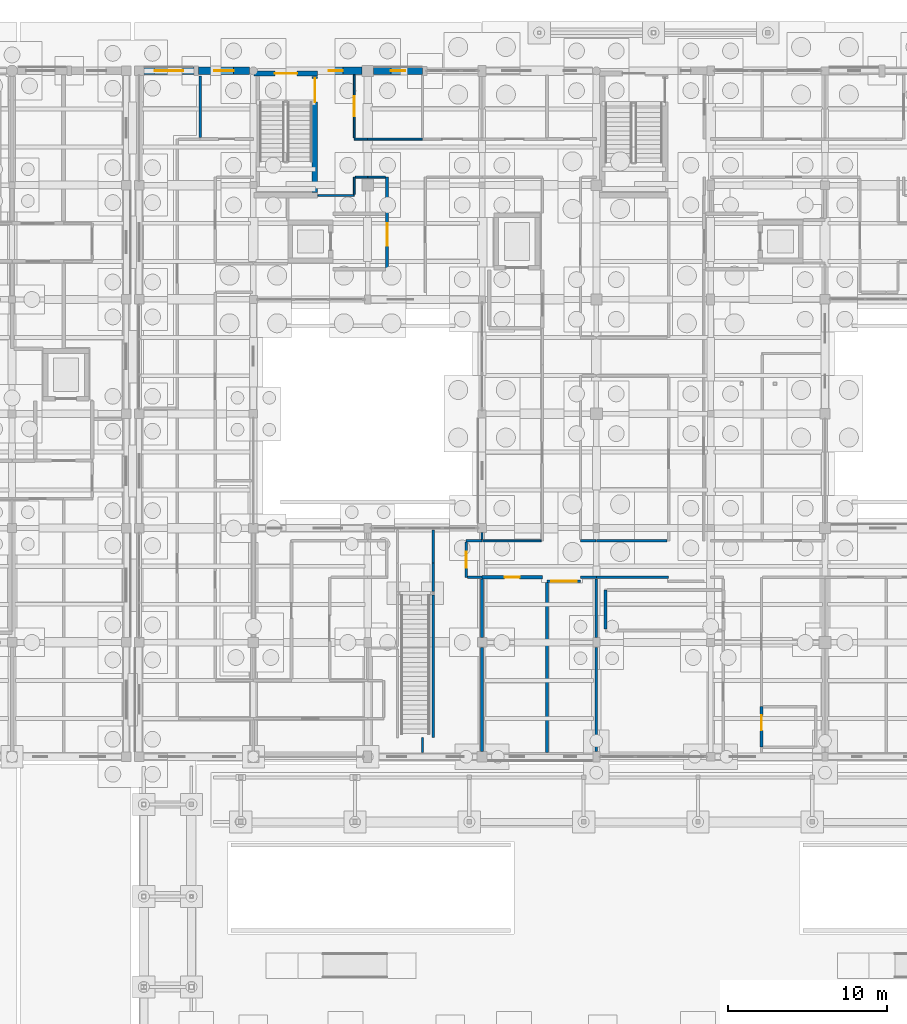
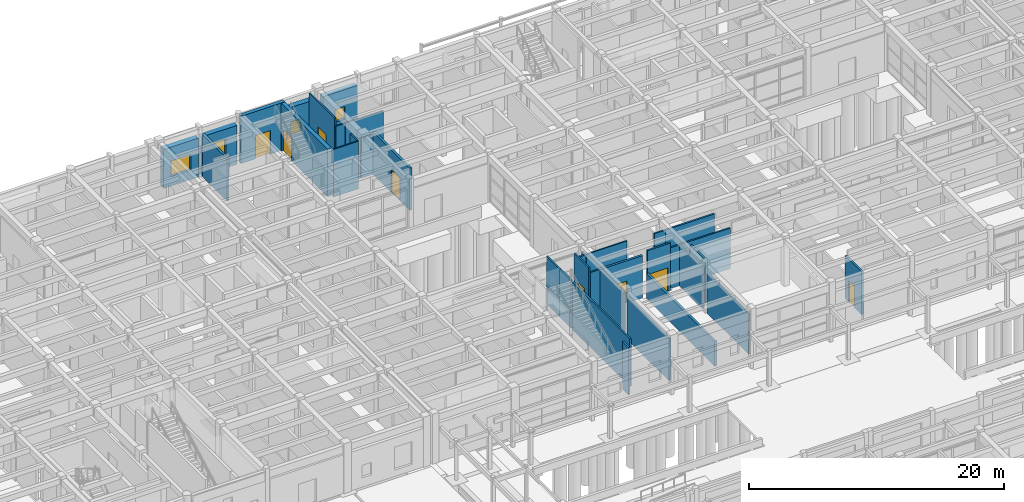
# One storey, part 110 of 143: 37 walls, 8 doors, 4 windows, 12 openings.
"""IFC4 building model written with IfcOpenShell, lengths in metres."""

from ifc_helpers import new_model, si_unit, direction, frame, frame_2d, origin, place, context, subcontext, project, spatial, rectangle, extrude, material, layer, layer_set, type_object, element, fill, save


model = new_model("IFC4")

# Units and contexts
model_context = context("Model", 3, precision=1e-05, world=origin(), true_north=direction((0.0, 1.0)))
body_context = subcontext(model_context, "Body", "Model", "MODEL_VIEW")
ifc_project = project(units=[si_unit("LENGTHUNIT", "METRE"), si_unit("AREAUNIT", "SQUARE_METRE"), si_unit("VOLUMEUNIT", "CUBIC_METRE"), si_unit("PLANEANGLEUNIT", "RADIAN"), si_unit("MASSUNIT", "GRAM", prefix="KILO")], contexts=[model_context])

# Site, building, storey
site_placement = place(None, origin())
site = spatial("IfcSite", under=ifc_project, at=site_placement, CompositionType="ELEMENT")
building_placement = place(site_placement, origin())
building = spatial("IfcBuilding", under=site, at=building_placement, Name="Steenspoor Specialist Clinic", CompositionType="ELEMENT")
storey_placement = place(building_placement, origin())
storey = spatial("IfcBuildingStorey", under=building, at=storey_placement, Name="L00", CompositionType="ELEMENT", Elevation=0.0)

# Wall, opening, window
ifc_material_1 = material(Name="Volcanic basalt ashlar masonry", Category="masonry")
ifc_layer_1 = layer(ifc_material_1, 0.47998046875)
ifc_layer_set_1 = layer_set([ifc_layer_1], Name="Volcanic basalt ashlar masonry")
wall_type_1 = type_object("IfcWallType", Name="W-BASALT-480", PredefinedType="SOLIDWALL", material=ifc_layer_set_1)
wall_1_placement = place(storey_placement, frame((52.699951171875, 108.35009765625, 0.0), z_axis=(0.0, 0.0, 1.0), x_axis=(1.0, 0.0, 0.0)))
wall_1 = element("IfcWall", 1, at=wall_1_placement, inside=storey, type_object=wall_type_1, Name="Exterior Brick Wall EW-V4-L00-0087", PredefinedType="SOLIDWALL", context=body_context, shape_type="SweptSolid", body=[
    extrude(rectangle(XDim=3.150146484375, YDim=0.47998046875, at=frame_2d((1.5751953125, 0.0))), origin(), (0.0, 0.0, 1.0), 3.72998046875),
])
opening_1_placement = place(wall_1_placement, frame((0.675048828125, 0.0, 0.89990234375)))
opening_1 = element("IfcOpeningElement", 2, at=opening_1_placement, cuts=wall_1, Name="Opening WN-13", PredefinedType="OPENING", context=body_context, shape_type="SweptSolid", body=[
    extrude(rectangle(XDim=1.800048828125, YDim=1.5, at=frame_2d((0.89990234375, 0.75))), frame((0.0, 0.25, 0.0), z_axis=(0.0, -1.0, 0.0), x_axis=(1.0, 0.0, 0.0)), (0.0, 0.0, 1.0), 0.5),
])
ifc_material_2 = material(Name="Thermally broken aluminium and low-emissivity glass", Category="aluminium")
window_type_1 = type_object("IfcWindowType", Name="WN-EXT-180X150", PartitioningType="SINGLE_PANEL", PredefinedType="WINDOW", material=ifc_material_2)
window_1_placement = place(opening_1_placement, origin())
window_1 = element("IfcWindow", 3, at=window_1_placement, inside=storey, type_object=window_type_1, Name="Window 0107", OverallHeight=1.5, OverallWidth=1.800048828125, PartitioningType="SINGLE_PANEL", PredefinedType="WINDOW", context=body_context, shape_type="SweptSolid", body=[
    extrude(rectangle(XDim=1.800048828125, YDim=1.5, at=frame_2d((0.89990234375, 0.75))), frame((0.0, 0.030029296875, 0.0), z_axis=(0.0, -1.0, 0.0), x_axis=(1.0, 0.0, 0.0)), (0.0, 0.0, 1.0), 0.06005859375),
])
fill(opening_1, window_1)

wall_2_placement = place(storey_placement, frame((56.14990234375, 108.35009765625, 0.0), z_axis=(0.0, 0.0, 1.0), x_axis=(1.0, 0.0, 0.0)))
wall_2 = element("IfcWall", 4, at=wall_2_placement, inside=storey, type_object=wall_type_1, Name="Exterior Brick Wall EW-V4-L00-0088", PredefinedType="SOLIDWALL", context=body_context, shape_type="SweptSolid", body=[
    extrude(rectangle(XDim=3.2001953125, YDim=0.47998046875, at=frame_2d((1.60009765625, 0.0))), origin(), (0.0, 0.0, 1.0), 3.72998046875),
])
opening_2_placement = place(wall_2_placement, frame((1.0, 0.0, 0.60009765625)))
opening_2 = element("IfcOpeningElement", 5, at=opening_2_placement, cuts=wall_2, Name="Opening WN-15", PredefinedType="OPENING", context=body_context, shape_type="SweptSolid", body=[
    extrude(rectangle(XDim=1.199951171875, YDim=2.199951171875, at=frame_2d((0.60009765625, 1.10009765625))), frame((0.0, 0.25, 0.0), z_axis=(0.0, -1.0, 0.0), x_axis=(1.0, 0.0, 0.0)), (0.0, 0.0, 1.0), 0.5),
])
window_type_2 = type_object("IfcWindowType", Name="WN-EXT-120X220", PartitioningType="SINGLE_PANEL", PredefinedType="WINDOW", material=ifc_material_2)
window_2_placement = place(opening_2_placement, origin())
window_2 = element("IfcWindow", 6, at=window_2_placement, inside=storey, type_object=window_type_2, Name="Window 0108", OverallHeight=2.199951171875, OverallWidth=1.199951171875, PartitioningType="SINGLE_PANEL", PredefinedType="WINDOW", context=body_context, shape_type="SweptSolid", body=[
    extrude(rectangle(XDim=1.199951171875, YDim=2.199951171875, at=frame_2d((0.60009765625, 1.10009765625))), frame((0.0, 0.030029296875, 0.0), z_axis=(0.0, -1.0, 0.0), x_axis=(1.0, 0.0, 0.0)), (0.0, 0.0, 1.0), 0.06005859375),
])
fill(opening_2, window_2)

wall_3_placement = place(storey_placement, frame((63.64990234375, 108.35009765625, 0.0), z_axis=(0.0, 0.0, 1.0), x_axis=(1.0, 0.0, 0.0)))
wall_3 = element("IfcWall", 7, at=wall_3_placement, inside=storey, type_object=wall_type_1, Name="Exterior Brick Wall EW-V4-L00-0089", PredefinedType="SOLIDWALL", context=body_context, shape_type="SweptSolid", body=[
    extrude(rectangle(XDim=2.800048828125, YDim=0.47998046875, at=frame_2d((1.39990234375, 0.0))), origin(), (0.0, 0.0, 1.0), 3.72998046875),
])
opening_3_placement = place(wall_3_placement, frame((0.68994140625, 0.0, 0.949951171875)))
opening_3 = element("IfcOpeningElement", 8, at=opening_3_placement, cuts=wall_3, Name="Opening WN-21", PredefinedType="OPENING", context=body_context, shape_type="SweptSolid", body=[
    extrude(rectangle(XDim=0.89990234375, YDim=1.199951171875, at=frame_2d((0.449951171875, 0.60009765625))), frame((0.0, 0.25, 0.0), z_axis=(0.0, -1.0, 0.0), x_axis=(1.0, 0.0, 0.0)), (0.0, 0.0, 1.0), 0.5),
])
window_type_3 = type_object("IfcWindowType", Name="WN-EXT-090X120", PartitioningType="SINGLE_PANEL", PredefinedType="WINDOW", material=ifc_material_2)
window_3_placement = place(opening_3_placement, origin())
window_3 = element("IfcWindow", 9, at=window_3_placement, inside=storey, type_object=window_type_3, Name="Window 0109", OverallHeight=1.199951171875, OverallWidth=0.89990234375, PartitioningType="SINGLE_PANEL", PredefinedType="WINDOW", context=body_context, shape_type="SweptSolid", body=[
    extrude(rectangle(XDim=0.89990234375, YDim=1.199951171875, at=frame_2d((0.449951171875, 0.60009765625))), frame((0.0, 0.030029296875, 0.0), z_axis=(0.0, -1.0, 0.0), x_axis=(1.0, 0.0, 0.0)), (0.0, 0.0, 1.0), 0.06005859375),
])
fill(opening_3, window_3)

wall_4_placement = place(storey_placement, frame((67.14990234375, 108.35009765625, 0.0), z_axis=(0.0, 0.0, 1.0), x_axis=(1.0, 0.0, 0.0)))
wall_4 = element("IfcWall", 10, at=wall_4_placement, inside=storey, type_object=wall_type_1, Name="Exterior Brick Wall EW-V4-L00-0090", PredefinedType="SOLIDWALL", context=body_context, shape_type="SweptSolid", body=[
    extrude(rectangle(XDim=3.110107421875, YDim=0.47998046875, at=frame_2d((1.55517578125, 0.0))), origin(), (0.0, 0.0, 1.0), 3.72998046875),
])
opening_4_placement = place(wall_4_placement, frame((1.10498046875, 0.0, 0.89990234375)))
opening_4 = element("IfcOpeningElement", 11, at=opening_4_placement, cuts=wall_4, Name="Opening WN-21", PredefinedType="OPENING", context=body_context, shape_type="SweptSolid", body=[
    extrude(rectangle(XDim=0.89990234375, YDim=1.199951171875, at=frame_2d((0.449951171875, 0.60009765625))), frame((0.0, 0.25, 0.0), z_axis=(0.0, -1.0, 0.0), x_axis=(1.0, 0.0, 0.0)), (0.0, 0.0, 1.0), 0.5),
])
window_4_placement = place(opening_4_placement, origin())
window_4 = element("IfcWindow", 12, at=window_4_placement, inside=storey, type_object=window_type_3, Name="Window 0110", OverallHeight=1.199951171875, OverallWidth=0.89990234375, PartitioningType="SINGLE_PANEL", PredefinedType="WINDOW", context=body_context, shape_type="SweptSolid", body=[
    extrude(rectangle(XDim=0.89990234375, YDim=1.199951171875, at=frame_2d((0.449951171875, 0.60009765625))), frame((0.0, 0.030029296875, 0.0), z_axis=(0.0, -1.0, 0.0), x_axis=(1.0, 0.0, 0.0)), (0.0, 0.0, 1.0), 0.06005859375),
])
fill(opening_4, window_4)

# Wall
ifc_material_3 = material(Name="Gypsum acoustic clinical partition", Category="gypsum")
ifc_layer_2 = layer(ifc_material_3, 0.14990234375)
ifc_layer_set_2 = layer_set([ifc_layer_2], Name="Gypsum acoustic clinical partition")
wall_type_2 = type_object("IfcWallType", Name="W-CLIN-150", PredefinedType="PARTITIONING", material=ifc_layer_set_2)
wall_5_placement = place(storey_placement, frame((73.0, 78.75, 0.0), z_axis=(0.0, 0.0, 1.0), x_axis=(1.0, 0.0, 0.0)))
element("IfcWall", 13, at=wall_5_placement, inside=storey, type_object=wall_type_2, Name="Interior Partition IW-V4-L00-0214", PredefinedType="PARTITIONING", context=body_context, shape_type="SweptSolid", body=[
    extrude(rectangle(XDim=1.0, YDim=0.14990234375, at=frame_2d((0.5, 0.0))), origin(), (0.0, 0.0, 1.0), 4.054931640625),
])

# Wall, opening, door
wall_6_placement = place(storey_placement, frame((73.0, 76.449951171875, 0.0), z_axis=(0.0, 0.0, 1.0), x_axis=(0.0, 1.0, 0.0)))
wall_6 = element("IfcWall", 14, at=wall_6_placement, inside=storey, type_object=wall_type_2, Name="Interior Partition IW-V4-L00-0215", PredefinedType="PARTITIONING", context=body_context, shape_type="SweptSolid", body=[
    extrude(rectangle(XDim=2.2099609375, YDim=0.14990234375, at=frame_2d((1.10498046875, 0.0))), origin(), (0.0, 0.0, 1.0), 4.550048828125),
])
opening_5_placement = place(wall_6_placement, frame((0.60498046875, 0.0, 0.0)))
opening_5 = element("IfcOpeningElement", 15, at=opening_5_placement, cuts=wall_6, Name="Opening D0149", PredefinedType="OPENING", context=body_context, shape_type="SweptSolid", body=[
    extrude(rectangle(XDim=1.0, YDim=2.14990234375, at=frame_2d((0.5, 1.074951171875))), frame((0.0, 0.0849609375, 0.0), z_axis=(0.0, -1.0, 0.0), x_axis=(1.0, 0.0, 0.0)), (0.0, 0.0, 1.0), 0.169921875),
])
ifc_material_4 = material(Name="Moisture-resistant HPL accessible WC door", Category="wood")
door_type_1 = type_object("IfcDoorType", Name="DT-AWC-100X215", OperationType="NOTDEFINED", PredefinedType="DOOR", material=ifc_material_4)
door_1_placement = place(opening_5_placement, origin())
door_1 = element("IfcDoor", 16, at=door_1_placement, inside=storey, type_object=door_type_1, Name="Clinical Door D0149", OperationType="SINGLE_SWING_RIGHT", OverallHeight=2.14990234375, OverallWidth=1.0, PredefinedType="DOOR", context=body_context, shape_type="SweptSolid", body=[
    extrude(rectangle(XDim=1.0, YDim=2.14990234375, at=frame_2d((0.5, 1.074951171875))), frame((0.0, 0.02490234375, 0.0), z_axis=(0.0, -1.0, 0.0), x_axis=(1.0, 0.0, 0.0)), (0.0, 0.0, 1.0), 0.050048828125),
])
fill(opening_5, door_1)

# Wall
wall_7_placement = place(storey_placement, frame((73.090087890625, 76.449951171875, 0.0), z_axis=(0.0, 0.0, 1.0), x_axis=(1.0, 0.0, 0.0)))
element("IfcWall", 17, at=wall_7_placement, inside=storey, type_object=wall_type_2, Name="Interior Partition IW-V4-L00-0216", PredefinedType="PARTITIONING", context=body_context, shape_type="SweptSolid", body=[
    extrude(rectangle(XDim=0.89501953125, YDim=0.14990234375, at=frame_2d((0.447509765625, 0.0))), origin(), (0.0, 0.0, 1.0), 4.054931640625),
])

# Wall, opening, door
wall_8_placement = place(storey_placement, frame((78.10009765625, 76.199951171875, 0.0), z_axis=(0.0, 0.0, 1.0), x_axis=(1.0, 0.0, 0.0)))
wall_8 = element("IfcWall", 18, at=wall_8_placement, inside=storey, type_object=wall_type_2, Name="Interior Partition IW-V4-L00-0217", PredefinedType="PARTITIONING", context=body_context, shape_type="SweptSolid", body=[
    extrude(rectangle(XDim=2.099853515625, YDim=0.14990234375, at=frame_2d((1.0498046875, 0.0))), origin(), (0.0, 0.0, 1.0), 4.550048828125),
])
opening_6_placement = place(wall_8_placement, frame((0.25, 0.0, 0.0)))
opening_6 = element("IfcOpeningElement", 19, at=opening_6_placement, cuts=wall_8, Name="Opening D0151", PredefinedType="OPENING", context=body_context, shape_type="SweptSolid", body=[
    extrude(rectangle(XDim=1.60009765625, YDim=2.25, at=frame_2d((0.800048828125, 1.125))), frame((0.0, 0.0849609375, 0.0), z_axis=(0.0, -1.0, 0.0), x_axis=(1.0, 0.0, 0.0)), (0.0, 0.0, 1.0), 0.169921875),
])
ifc_material_5 = material(Name="Hygienic HPL clinical timber door", Category="wood")
door_type_2 = type_object("IfcDoorType", Name="DT-PROC-160X225", OperationType="NOTDEFINED", PredefinedType="DOOR", material=ifc_material_5)
door_2_placement = place(opening_6_placement, origin())
door_2 = element("IfcDoor", 20, at=door_2_placement, inside=storey, type_object=door_type_2, Name="Clinical Door D0151", OperationType="SINGLE_SWING_RIGHT", OverallHeight=2.25, OverallWidth=1.60009765625, PredefinedType="DOOR", context=body_context, shape_type="SweptSolid", body=[
    extrude(rectangle(XDim=1.60009765625, YDim=2.25, at=frame_2d((0.800048828125, 1.125))), frame((0.0, 0.02490234375, 0.0), z_axis=(0.0, -1.0, 0.0), x_axis=(1.0, 0.0, 0.0)), (0.0, 0.0, 1.0), 0.050048828125),
])
fill(opening_6, door_2)

# Walls
wall_9_placement = place(storey_placement, frame((80.199951171875, 76.449951171875, 0.0), z_axis=(0.0, 0.0, 1.0), x_axis=(1.0, 0.0, 0.0)))
element("IfcWall", 21, at=wall_9_placement, inside=storey, type_object=wall_type_2, Name="Interior Partition IW-V4-L00-0218", PredefinedType="PARTITIONING", context=body_context, shape_type="SweptSolid", body=[
    extrude(rectangle(XDim=1.0, YDim=0.14990234375, at=frame_2d((0.5, 0.0))), origin(), (0.0, 0.0, 1.0), 3.885009765625),
])
wall_10_placement = place(storey_placement, frame((81.215087890625, 76.449951171875, 0.0), z_axis=(0.0, 0.0, 1.0), x_axis=(1.0, 0.0, 0.0)))
element("IfcWall", 22, at=wall_10_placement, inside=storey, type_object=wall_type_2, Name="Interior Partition IW-V4-L00-0222", PredefinedType="PARTITIONING", context=body_context, shape_type="SweptSolid", body=[
    extrude(rectangle(XDim=4.534912109375, YDim=0.14990234375, at=frame_2d((2.267578125, 0.0))), origin(), (0.0, 0.0, 1.0), 3.885009765625),
])
wall_11_placement = place(storey_placement, frame((81.199951171875, 78.75, 0.0), z_axis=(0.0, 0.0, 1.0), x_axis=(1.0, 0.0, 0.0)))
element("IfcWall", 23, at=wall_11_placement, inside=storey, type_object=wall_type_2, Name="Interior Partition IW-V4-L00-0241", PredefinedType="PARTITIONING", context=body_context, shape_type="SweptSolid", body=[
    extrude(rectangle(XDim=4.4599609375, YDim=0.14990234375, at=frame_2d((2.22998046875, 0.0))), origin(), (0.0, 0.0, 1.0), 3.885009765625),
])
wall_12_placement = place(storey_placement, frame((80.199951171875, 78.75, 0.0), z_axis=(0.0, 0.0, 1.0), x_axis=(1.0, 0.0, 0.0)))
element("IfcWall", 24, at=wall_12_placement, inside=storey, type_object=wall_type_2, Name="Interior Partition IW-V4-L00-0242", PredefinedType="PARTITIONING", context=body_context, shape_type="SweptSolid", body=[
    extrude(rectangle(XDim=0.985107421875, YDim=0.14990234375, at=frame_2d((0.49267578125, 0.0))), origin(), (0.0, 0.0, 1.0), 3.885009765625),
])
wall_13_placement = place(storey_placement, frame((70.25, 65.405029296875, 0.0), z_axis=(0.0, 0.0, 1.0), x_axis=(0.0, 1.0, 0.0)))
element("IfcWall", 25, at=wall_13_placement, inside=storey, type_object=wall_type_2, Name="Interior Partition IW-V4-L00-0602", PredefinedType="PARTITIONING", context=body_context, shape_type="SweptSolid", body=[
    extrude(rectangle(XDim=0.945068359375, YDim=0.14990234375, at=frame_2d((0.47265625, 0.0))), origin(), (0.0, 0.0, 1.0), 4.550048828125),
])
wall_14_placement = place(storey_placement, frame((70.925048828125, 66.35009765625, 0.0), z_axis=(0.0, 0.0, 1.0), x_axis=(0.0, 1.0, 0.0)))
element("IfcWall", 26, at=wall_14_placement, inside=storey, type_object=wall_type_2, Name="Interior Partition IW-V4-L00-0603", PredefinedType="PARTITIONING", context=body_context, shape_type="SweptSolid", body=[
    extrude(rectangle(XDim=8.98291015625, YDim=0.14990234375, at=frame_2d((4.491455078125, 0.0))), origin(), (0.0, 0.0, 1.0), 4.550048828125),
])
wall_15_placement = place(storey_placement, frame((70.925048828125, 75.56689453125, 0.0), z_axis=(0.0, 0.0, 1.0), x_axis=(0.0, 1.0, 0.0)))
element("IfcWall", 27, at=wall_15_placement, inside=storey, type_object=wall_type_2, Name="Interior Partition IW-V4-L00-0604", PredefinedType="PARTITIONING", context=body_context, shape_type="SweptSolid", body=[
    extrude(rectangle(XDim=1.783203125, YDim=0.14990234375, at=frame_2d((0.8916015625, 0.0))), origin(), (0.0, 0.0, 1.0), 4.550048828125),
])
wall_16_placement = place(storey_placement, frame((70.925048828125, 77.364990234375, 0.0), z_axis=(0.0, 0.0, 1.0), x_axis=(0.0, 1.0, 0.0)))
element("IfcWall", 28, at=wall_16_placement, inside=storey, type_object=wall_type_2, Name="Interior Partition IW-V4-L00-0605", PredefinedType="PARTITIONING", context=body_context, shape_type="SweptSolid", body=[
    extrude(rectangle(XDim=2.080078125, YDim=0.14990234375, at=frame_2d((1.0400390625, 0.0))), origin(), (0.0, 0.0, 1.0), 4.550048828125),
])
wall_17_placement = place(storey_placement, frame((74.0, 78.840087890625, 0.0), z_axis=(0.0, 0.0, 1.0), x_axis=(0.0, 1.0, 0.0)))
element("IfcWall", 29, at=wall_17_placement, inside=storey, type_object=wall_type_2, Name="Interior Partition IW-V4-L00-0606", PredefinedType="PARTITIONING", context=body_context, shape_type="SweptSolid", body=[
    extrude(rectangle(XDim=0.419921875, YDim=0.14990234375, at=frame_2d((0.2099609375, 0.0))), origin(), (0.0, 0.0, 1.0), 4.054931640625),
])
wall_18_placement = place(storey_placement, frame((81.199951171875, 65.489990234375, 0.0), z_axis=(0.0, 0.0, 1.0), x_axis=(0.0, 1.0, 0.0)))
element("IfcWall", 30, at=wall_18_placement, inside=storey, type_object=wall_type_2, Name="Interior Partition IW-V4-L00-0607", PredefinedType="PARTITIONING", context=body_context, shape_type="SweptSolid", body=[
    extrude(rectangle(XDim=6.544921875, YDim=0.14990234375, at=frame_2d((3.2724609375, 0.0))), origin(), (0.0, 0.0, 1.0), 3.885009765625),
])
wall_19_placement = place(storey_placement, frame((81.199951171875, 72.6650390625, 0.0), z_axis=(0.0, 0.0, 1.0), x_axis=(0.0, 1.0, 0.0)))
element("IfcWall", 31, at=wall_19_placement, inside=storey, type_object=wall_type_2, Name="Interior Partition IW-V4-L00-0608", PredefinedType="PARTITIONING", context=body_context, shape_type="SweptSolid", body=[
    extrude(rectangle(XDim=3.695068359375, YDim=0.14990234375, at=frame_2d((1.84765625, 0.0))), origin(), (0.0, 0.0, 1.0), 3.885009765625),
])

# Wall, opening, door
ifc_material_6 = material(Name="Concrete C40/50", Category="concrete")
ifc_layer_3 = layer(ifc_material_6, 0.330078125)
ifc_layer_set_3 = layer_set([ifc_layer_3], Name="Concrete C40/50")
wall_type_3 = type_object("IfcWallType", Name="W-ESW-330", PredefinedType="SHEAR", material=ifc_layer_set_3)
wall_20_placement = place(storey_placement, frame((59.64990234375, 108.175048828125, 0.0), z_axis=(0.0, 0.0, 1.0), x_axis=(1.0, 0.0, 0.0)))
wall_20 = element("IfcWall", 32, at=wall_20_placement, inside=storey, type_object=wall_type_3, Name="Core Shear Wall SW-ST-V4A-L00-N", PredefinedType="SHEAR", context=body_context, shape_type="SweptSolid", body=[
    extrude(rectangle(XDim=4.0, YDim=0.330078125, at=frame_2d((2.0, 0.0))), origin(), (0.0, 0.0, 1.0), 4.550048828125),
])
opening_7_placement = place(wall_20_placement, frame((1.300048828125, 0.0, 0.0)))
opening_7 = element("IfcOpeningElement", 33, at=opening_7_placement, cuts=wall_20, Name="Opening ED05", PredefinedType="OPENING", context=body_context, shape_type="SweptSolid", body=[
    extrude(rectangle(XDim=1.39990234375, YDim=2.25, at=frame_2d((0.699951171875, 1.125))), frame((0.0, 0.175048828125, 0.0), z_axis=(0.0, -1.0, 0.0), x_axis=(1.0, 0.0, 0.0)), (0.0, 0.0, 1.0), 0.35009765625),
])
ifc_material_7 = material(Name="Painted galvanised steel door", Category="steel")
door_type_3 = type_object("IfcDoorType", Name="DT-EXIT-140X225", OperationType="NOTDEFINED", PredefinedType="DOOR", material=ifc_material_7)
door_3_placement = place(opening_7_placement, origin())
door_3 = element("IfcDoor", 34, at=door_3_placement, inside=storey, type_object=door_type_3, Name="Exit Stair Discharge Door ED05", OperationType="SINGLE_SWING_LEFT", OverallHeight=2.25, OverallWidth=1.39990234375, PredefinedType="DOOR", context=body_context, shape_type="SweptSolid", body=[
    extrude(rectangle(XDim=1.39990234375, YDim=2.25, at=frame_2d((0.699951171875, 1.125))), frame((0.0, 0.02490234375, 0.0), z_axis=(0.0, -1.0, 0.0), x_axis=(1.0, 0.0, 0.0)), (0.0, 0.0, 1.0), 0.050048828125),
])
fill(opening_7, door_3)

# Walls
ifc_material_8 = material(Name="Gypsum studio partition board", Category="gypsum")
ifc_layer_4 = layer(ifc_material_8, 0.1201171875)
ifc_layer_set_4 = layer_set([ifc_layer_4], Name="Gypsum studio partition board")
wall_type_4 = type_object("IfcWallType", Name="W-PART-120", PredefinedType="PARTITIONING", material=ifc_layer_set_4)
wall_21_placement = place(storey_placement, frame((74.0400390625, 78.75, 0.0), z_axis=(0.0, 0.0, 1.0), x_axis=(1.0, 0.0, 0.0)))
element("IfcWall", 35, at=wall_21_placement, inside=storey, type_object=wall_type_4, Name="Interior Partition IW-V4-L00-0336", PredefinedType="PARTITIONING", context=body_context, shape_type="SweptSolid", body=[
    extrude(rectangle(XDim=3.68505859375, YDim=0.1201171875, at=frame_2d((1.842529296875, 0.0))), origin(), (0.0, 0.0, 1.0), 4.054931640625),
])
wall_22_placement = place(storey_placement, frame((66.800048828125, 104.050048828125, 0.0), z_axis=(0.0, 0.0, 1.0), x_axis=(1.0, 0.0, 0.0)))
element("IfcWall", 36, at=wall_22_placement, inside=storey, type_object=wall_type_4, Name="Interior Partition IW-V4-L00-0349", PredefinedType="PARTITIONING", context=body_context, shape_type="SweptSolid", body=[
    extrude(rectangle(XDim=3.449951171875, YDim=0.1201171875, at=frame_2d((1.72509765625, 0.0))), origin(), (0.0, 0.0, 1.0), 3.81494140625),
])
wall_23_placement = place(storey_placement, frame((65.949951171875, 104.050048828125, 0.0), z_axis=(0.0, 0.0, 1.0), x_axis=(1.0, 0.0, 0.0)))
element("IfcWall", 37, at=wall_23_placement, inside=storey, type_object=wall_type_4, Name="Interior Partition IW-V4-L00-0350", PredefinedType="PARTITIONING", context=body_context, shape_type="SweptSolid", body=[
    extrude(rectangle(XDim=0.8349609375, YDim=0.1201171875, at=frame_2d((0.41748046875, 0.0))), origin(), (0.0, 0.0, 1.0), 3.81494140625),
])

# Wall, opening, door
wall_24_placement = place(storey_placement, frame((65.949951171875, 104.125, 0.0), z_axis=(0.0, 0.0, 1.0), x_axis=(0.0, 1.0, 0.0)))
wall_24 = element("IfcWall", 38, at=wall_24_placement, inside=storey, type_object=wall_type_4, Name="Interior Partition IW-V4-L00-0351", PredefinedType="PARTITIONING", context=body_context, shape_type="SweptSolid", body=[
    extrude(rectangle(XDim=3.969970703125, YDim=0.1201171875, at=frame_2d((1.98486328125, 0.0))), origin(), (0.0, 0.0, 1.0), 4.550048828125),
])
opening_8_placement = place(wall_24_placement, frame((1.360107421875, 0.0, 0.0)))
opening_8 = element("IfcOpeningElement", 39, at=opening_8_placement, cuts=wall_24, Name="Opening D0176", PredefinedType="OPENING", context=body_context, shape_type="SweptSolid", body=[
    extrude(rectangle(XDim=1.25, YDim=2.14990234375, at=frame_2d((0.625, 1.074951171875))), frame((0.0, 0.070068359375, 0.0), z_axis=(0.0, -1.0, 0.0), x_axis=(1.0, 0.0, 0.0)), (0.0, 0.0, 1.0), 0.14013671875),
])
door_type_4 = type_object("IfcDoorType", Name="DT-EXAM-125X215", OperationType="NOTDEFINED", PredefinedType="DOOR", material=ifc_material_5)
door_4_placement = place(opening_8_placement, origin())
door_4 = element("IfcDoor", 40, at=door_4_placement, inside=storey, type_object=door_type_4, Name="Clinical Door D0176", OperationType="SINGLE_SWING_LEFT", OverallHeight=2.14990234375, OverallWidth=1.25, PredefinedType="DOOR", context=body_context, shape_type="SweptSolid", body=[
    extrude(rectangle(XDim=1.25, YDim=2.14990234375, at=frame_2d((0.625, 1.074951171875))), frame((0.0, 0.02490234375, 0.0), z_axis=(0.0, -1.0, 0.0), x_axis=(1.0, 0.0, 0.0)), (0.0, 0.0, 1.0), 0.050048828125),
])
fill(opening_8, door_4)

# Walls
wall_25_placement = place(storey_placement, frame((63.6650390625, 100.5, 0.0), z_axis=(0.0, 0.0, 1.0), x_axis=(1.0, 0.0, 0.0)))
element("IfcWall", 41, at=wall_25_placement, inside=storey, type_object=wall_type_4, Name="Interior Partition IW-V4-L00-0352", PredefinedType="PARTITIONING", context=body_context, shape_type="SweptSolid", body=[
    extrude(rectangle(XDim=2.284912109375, YDim=0.1201171875, at=frame_2d((1.142578125, 0.0))), origin(), (0.0, 0.0, 1.0), 4.550048828125),
])
wall_26_placement = place(storey_placement, frame((65.949951171875, 100.574951171875, 0.0), z_axis=(0.0, 0.0, 1.0), x_axis=(0.0, 1.0, 0.0)))
element("IfcWall", 42, at=wall_26_placement, inside=storey, type_object=wall_type_4, Name="Interior Partition IW-V4-L00-0353", PredefinedType="PARTITIONING", context=body_context, shape_type="SweptSolid", body=[
    extrude(rectangle(XDim=1.074951171875, YDim=0.1201171875, at=frame_2d((0.53759765625, 0.0))), origin(), (0.0, 0.0, 1.0), 4.550048828125),
])
wall_27_placement = place(storey_placement, frame((66.02490234375, 101.64990234375, 0.0), z_axis=(0.0, 0.0, 1.0), x_axis=(1.0, 0.0, 0.0)))
element("IfcWall", 43, at=wall_27_placement, inside=storey, type_object=wall_type_4, Name="Interior Partition IW-V4-L00-0354", PredefinedType="PARTITIONING", context=body_context, shape_type="SweptSolid", body=[
    extrude(rectangle(XDim=0.775146484375, YDim=0.1201171875, at=frame_2d((0.3876953125, 0.0))), origin(), (0.0, 0.0, 1.0), 3.81494140625),
])
wall_28_placement = place(storey_placement, frame((66.81494140625, 101.64990234375, 0.0), z_axis=(0.0, 0.0, 1.0), x_axis=(1.0, 0.0, 0.0)))
element("IfcWall", 44, at=wall_28_placement, inside=storey, type_object=wall_type_4, Name="Interior Partition IW-V4-L00-0355", PredefinedType="PARTITIONING", context=body_context, shape_type="SweptSolid", body=[
    extrude(rectangle(XDim=1.094970703125, YDim=0.1201171875, at=frame_2d((0.54736328125, 0.0))), origin(), (0.0, 0.0, 1.0), 3.81494140625),
])

# Wall, opening, door
ifc_material_9 = material(Name="Moisture-resistant gypsum plumbing wall", Category="gypsum")
ifc_layer_5 = layer(ifc_material_9, 0.179931640625)
ifc_layer_set_5 = layer_set([ifc_layer_5], Name="Moisture-resistant gypsum plumbing wall")
wall_type_5 = type_object("IfcWallType", Name="W-PLUMB-180", PredefinedType="PLUMBINGWALL", material=ifc_layer_set_5)
wall_29_placement = place(storey_placement, frame((91.60009765625, 65.75, 0.0), z_axis=(0.0, 0.0, 1.0), x_axis=(0.0, 1.0, 0.0)))
wall_29 = element("IfcWall", 45, at=wall_29_placement, inside=storey, type_object=wall_type_5, Name="Interior Partition IW-V4-L00-0012", PredefinedType="PLUMBINGWALL", context=body_context, shape_type="SweptSolid", body=[
    extrude(rectangle(XDim=2.550048828125, YDim=0.179931640625, at=frame_2d((1.27490234375, 0.0))), origin(), (0.0, 0.0, 1.0), 4.114990234375),
])
opening_9_placement = place(wall_29_placement, frame((1.055908203125, 0.0, 0.0)))
opening_9 = element("IfcOpeningElement", 46, at=opening_9_placement, cuts=wall_29, Name="Opening D0154", PredefinedType="OPENING", context=body_context, shape_type="SweptSolid", body=[
    extrude(rectangle(XDim=0.949951171875, YDim=2.10009765625, at=frame_2d((0.47509765625, 1.050048828125))), frame((0.0, 0.10009765625, 0.0), z_axis=(0.0, -1.0, 0.0), x_axis=(1.0, 0.0, 0.0)), (0.0, 0.0, 1.0), 0.199951171875),
])
ifc_material_10 = material(Name="Moisture-resistant HPL sanitary door", Category="wood")
door_type_5 = type_object("IfcDoorType", Name="DT-WC-095X210", OperationType="NOTDEFINED", PredefinedType="DOOR", material=ifc_material_10)
door_5_placement = place(opening_9_placement, origin())
door_5 = element("IfcDoor", 47, at=door_5_placement, inside=storey, type_object=door_type_5, Name="Clinical Door D0154", OperationType="SINGLE_SWING_LEFT", OverallHeight=2.10009765625, OverallWidth=0.949951171875, PredefinedType="DOOR", context=body_context, shape_type="SweptSolid", body=[
    extrude(rectangle(XDim=0.949951171875, YDim=2.10009765625, at=frame_2d((0.47509765625, 1.050048828125))), frame((0.0, 0.02490234375, 0.0), z_axis=(0.0, -1.0, 0.0), x_axis=(1.0, 0.0, 0.0)), (0.0, 0.0, 1.0), 0.050048828125),
])
fill(opening_9, door_5)

# Walls
wall_30_placement = place(storey_placement, frame((81.780029296875, 73.205078125, 0.0), z_axis=(0.0, 0.0, 1.0), x_axis=(0.0, 1.0, 0.0)))
element("IfcWall", 48, at=wall_30_placement, inside=storey, type_object=wall_type_5, Name="Interior Partition IW-V4-L00-0034", PredefinedType="PLUMBINGWALL", context=body_context, shape_type="SweptSolid", body=[
    extrude(rectangle(XDim=2.44482421875, YDim=0.179931640625, at=frame_2d((1.222412109375, 0.0))), origin(), (0.0, 0.0, 1.0), 4.114990234375),
])
wall_31_placement = place(storey_placement, frame((56.25, 104.155029296875, 0.0), z_axis=(0.0, 0.0, 1.0), x_axis=(0.0, 1.0, 0.0)))
element("IfcWall", 49, at=wall_31_placement, inside=storey, type_object=wall_type_5, Name="Interior Partition IW-V4-L00-0523", PredefinedType="PLUMBINGWALL", context=body_context, shape_type="SweptSolid", body=[
    extrude(rectangle(XDim=3.869873046875, YDim=0.179931640625, at=frame_2d((1.93505859375, 0.0))), origin(), (0.0, 0.0, 1.0), 4.074951171875),
])

# Wall, opening, door
ifc_material_11 = material(Name="Gypsum acoustic smoke barrier board", Category="gypsum")
ifc_layer_6 = layer(ifc_material_11, 0.199951171875)
ifc_layer_set_6 = layer_set([ifc_layer_6], Name="Gypsum acoustic smoke barrier board")
wall_type_6 = type_object("IfcWallType", Name="W-SMOKE-200", PredefinedType="PARTITIONING", material=ifc_layer_set_6)
wall_32_placement = place(storey_placement, frame((68.02490234375, 95.85009765625, 0.0), z_axis=(0.0, 0.0, 1.0), x_axis=(0.0, 1.0, 0.0)))
wall_32 = element("IfcWall", 50, at=wall_32_placement, inside=storey, type_object=wall_type_6, Name="Interior Partition IW-V4-L00-0006", PredefinedType="PARTITIONING", context=body_context, shape_type="SweptSolid", body=[
    extrude(rectangle(XDim=5.7998046875, YDim=0.199951171875, at=frame_2d((2.89990234375, 0.0))), origin(), (0.0, 0.0, 1.0), 4.054931640625),
])
opening_10_placement = place(wall_32_placement, frame((1.49609375, 0.0, 0.0)))
opening_10 = element("IfcOpeningElement", 51, at=opening_10_placement, cuts=wall_32, Name="Opening D0146", PredefinedType="OPENING", context=body_context, shape_type="SweptSolid", body=[
    extrude(rectangle(XDim=1.39990234375, YDim=2.199951171875, at=frame_2d((0.699951171875, 1.10009765625))), frame((0.0, 0.10986328125, 0.0), z_axis=(0.0, -1.0, 0.0), x_axis=(1.0, 0.0, 0.0)), (0.0, 0.0, 1.0), 0.219970703125),
])
ifc_material_12 = material(Name="Fire-rated clinical laminate door", Category="steel")
door_type_6 = type_object("IfcDoorType", Name="DT-LAB-140X220", OperationType="NOTDEFINED", PredefinedType="DOOR", material=ifc_material_12)
door_6_placement = place(opening_10_placement, origin())
door_6 = element("IfcDoor", 52, at=door_6_placement, inside=storey, type_object=door_type_6, Name="Lift Lobby Fire Door D0146", OperationType="SINGLE_SWING_LEFT", OverallHeight=2.199951171875, OverallWidth=1.39990234375, PredefinedType="DOOR", context=body_context, shape_type="SweptSolid", body=[
    extrude(rectangle(XDim=1.39990234375, YDim=2.199951171875, at=frame_2d((0.699951171875, 1.10009765625))), frame((0.0, 0.02490234375, 0.0), z_axis=(0.0, -1.0, 0.0), x_axis=(1.0, 0.0, 0.0)), (0.0, 0.0, 1.0), 0.050048828125),
])
fill(opening_10, door_6)

wall_33_placement = place(storey_placement, frame((74.0, 76.449951171875, 0.0), z_axis=(0.0, 0.0, 1.0), x_axis=(1.0, 0.0, 0.0)))
wall_33 = element("IfcWall", 53, at=wall_33_placement, inside=storey, type_object=wall_type_6, Name="Interior Partition IW-V4-L00-0148", PredefinedType="PARTITIONING", context=body_context, shape_type="SweptSolid", body=[
    extrude(rectangle(XDim=3.800048828125, YDim=0.199951171875, at=frame_2d((1.89990234375, 0.0))), origin(), (0.0, 0.0, 1.0), 4.054931640625),
])
opening_11_placement = place(wall_33_placement, frame((1.425048828125, 0.0, 0.0)))
opening_11 = element("IfcOpeningElement", 54, at=opening_11_placement, cuts=wall_33, Name="Opening D0150", PredefinedType="OPENING", context=body_context, shape_type="SweptSolid", body=[
    extrude(rectangle(XDim=0.949951171875, YDim=2.10009765625, at=frame_2d((0.47509765625, 1.050048828125))), frame((0.0, 0.10986328125, 0.0), z_axis=(0.0, -1.0, 0.0), x_axis=(1.0, 0.0, 0.0)), (0.0, 0.0, 1.0), 0.219970703125),
])
door_7_placement = place(opening_11_placement, origin())
door_7 = element("IfcDoor", 55, at=door_7_placement, inside=storey, type_object=door_type_5, Name="Clinical Door D0150", OperationType="SINGLE_SWING_LEFT", OverallHeight=2.10009765625, OverallWidth=0.949951171875, PredefinedType="DOOR", context=body_context, shape_type="SweptSolid", body=[
    extrude(rectangle(XDim=0.949951171875, YDim=2.10009765625, at=frame_2d((0.47509765625, 1.050048828125))), frame((0.0, 0.02490234375, 0.0), z_axis=(0.0, -1.0, 0.0), x_axis=(1.0, 0.0, 0.0)), (0.0, 0.0, 1.0), 0.050048828125),
])
fill(opening_11, door_7)

# Walls
wall_34_placement = place(storey_placement, frame((74.0, 65.489990234375, 0.0), z_axis=(0.0, 0.0, 1.0), x_axis=(0.0, 1.0, 0.0)))
element("IfcWall", 56, at=wall_34_placement, inside=storey, type_object=wall_type_6, Name="Interior Partition IW-V4-L00-0528", PredefinedType="PARTITIONING", context=body_context, shape_type="SweptSolid", body=[
    extrude(rectangle(XDim=6.544921875, YDim=0.199951171875, at=frame_2d((3.2724609375, 0.0))), origin(), (0.0, 0.0, 1.0), 4.014892578125),
])
wall_35_placement = place(storey_placement, frame((74.0, 72.6650390625, 0.0), z_axis=(0.0, 0.0, 1.0), x_axis=(0.0, 1.0, 0.0)))
element("IfcWall", 57, at=wall_35_placement, inside=storey, type_object=wall_type_6, Name="Interior Partition IW-V4-L00-0529", PredefinedType="PARTITIONING", context=body_context, shape_type="SweptSolid", body=[
    extrude(rectangle(XDim=3.669921875, YDim=0.199951171875, at=frame_2d((1.8349609375, 0.0))), origin(), (0.0, 0.0, 1.0), 4.054931640625),
])
wall_36_placement = place(storey_placement, frame((78.10009765625, 65.405029296875, 0.0), z_axis=(0.0, 0.0, 1.0), x_axis=(0.0, 1.0, 0.0)))
element("IfcWall", 58, at=wall_36_placement, inside=storey, type_object=wall_type_6, Name="Interior Partition IW-V4-L00-0530", PredefinedType="PARTITIONING", context=body_context, shape_type="SweptSolid", body=[
    extrude(rectangle(XDim=10.705078125, YDim=0.199951171875, at=frame_2d((5.3525390625, 0.0))), origin(), (0.0, 0.0, 1.0), 2.375),
])

# Wall, opening, door
ifc_layer_7 = layer(ifc_material_6, 0.35009765625)
ifc_layer_set_7 = layer_set([ifc_layer_7], Name="Concrete C40/50")
wall_type_7 = type_object("IfcWallType", Name="W-SW-350", PredefinedType="SHEAR", material=ifc_layer_set_7)
wall_37_placement = place(storey_placement, frame((63.47509765625, 100.699951171875, 0.0), z_axis=(0.0, 0.0, 1.0), x_axis=(0.0, 1.0, 0.0)))
wall_37 = element("IfcWall", 59, at=wall_37_placement, inside=storey, type_object=wall_type_7, Name="Core Shear Wall SW-ST-V4A-L00-E", PredefinedType="SHEAR", context=body_context, shape_type="SweptSolid", body=[
    extrude(rectangle(XDim=7.300048828125, YDim=0.35009765625, at=frame_2d((3.64990234375, 0.0))), origin(), (0.0, 0.0, 1.0), 4.550048828125),
])
opening_12_placement = place(wall_37_placement, frame((5.679931640625, 0.0, 0.0)))
opening_12 = element("IfcOpeningElement", 60, at=opening_12_placement, cuts=wall_37, Name="Opening SD009", PredefinedType="OPENING", context=body_context, shape_type="SweptSolid", body=[
    extrude(rectangle(XDim=1.5, YDim=2.14990234375, at=frame_2d((0.75, 1.074951171875))), frame((0.0, 0.18505859375, 0.0), z_axis=(0.0, -1.0, 0.0), x_axis=(1.0, 0.0, 0.0)), (0.0, 0.0, 1.0), 0.3701171875),
])
ifc_material_13 = material(Name="Fire-rated steel acoustic door", Category="steel")
door_type_7 = type_object("IfcDoorType", Name="DT-STAIR-150X215", OperationType="NOTDEFINED", PredefinedType="DOOR", material=ifc_material_13)
door_8_placement = place(opening_12_placement, origin())
door_8 = element("IfcDoor", 61, at=door_8_placement, inside=storey, type_object=door_type_7, Name="Exit Stair Fire Door SD009", OperationType="SINGLE_SWING_RIGHT", OverallHeight=2.14990234375, OverallWidth=1.5, PredefinedType="DOOR", context=body_context, shape_type="SweptSolid", body=[
    extrude(rectangle(XDim=1.5, YDim=2.14990234375, at=frame_2d((0.75, 1.074951171875))), frame((0.0, 0.02490234375, 0.0), z_axis=(0.0, -1.0, 0.0), x_axis=(1.0, 0.0, 0.0)), (0.0, 0.0, 1.0), 0.050048828125),
])
fill(opening_12, door_8)

save(model, "model.ifc")
